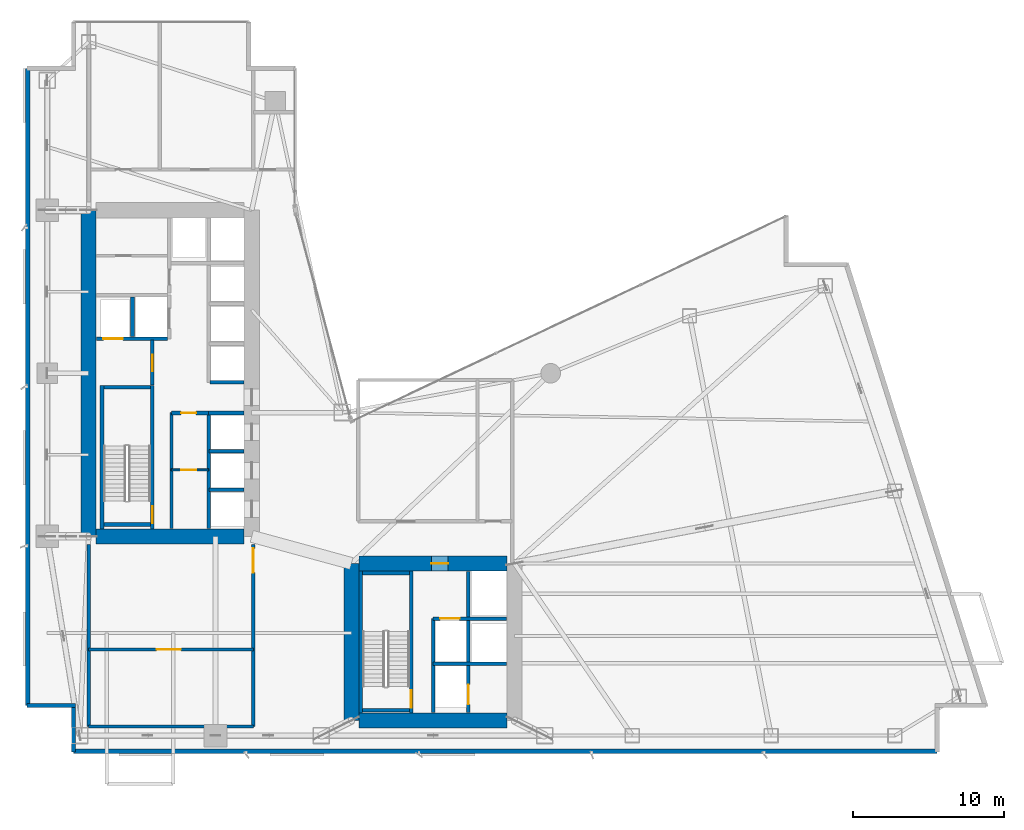
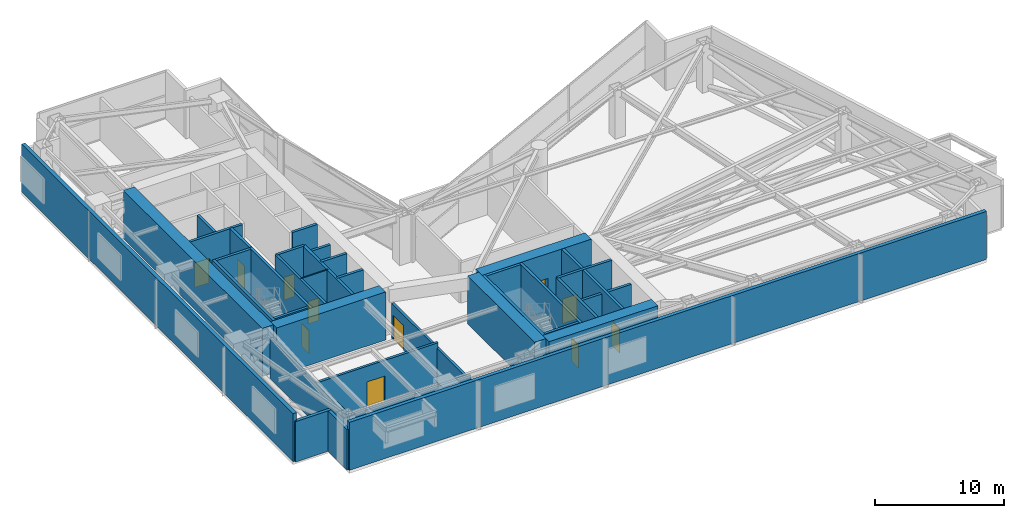
# One storey, part 13 of 18: 36 walls, 11 doors, 11 openings.
"""IFC4 building model written with IfcOpenShell, lengths in metres."""

from ifc_helpers import new_model, si_unit, direction, frame, frame_2d, origin, place, context, subcontext, project, spatial, rectangle, extrude, material, layer, layer_set, type_object, element, fill, save


model = new_model("IFC4")

# Units and contexts
model_context = context("Model", 3, precision=1e-05, world=origin(), true_north=direction((0.0, 1.0)))
body_context = subcontext(model_context, "Body", "Model", "MODEL_VIEW")
ifc_project = project(units=[si_unit("LENGTHUNIT", "METRE"), si_unit("AREAUNIT", "SQUARE_METRE"), si_unit("VOLUMEUNIT", "CUBIC_METRE"), si_unit("PLANEANGLEUNIT", "RADIAN"), si_unit("MASSUNIT", "GRAM", prefix="KILO")], contexts=[model_context])

# Site, building, storey
site_placement = place(None, origin())
site = spatial("IfcSite", under=ifc_project, at=site_placement, CompositionType="ELEMENT")
building_placement = place(site_placement, origin())
building = spatial("IfcBuilding", under=site, at=building_placement, Name="Calvorn Quay Hotel", CompositionType="ELEMENT")
storey_placement = place(building_placement, frame((0.0, 0.0, 46.0)))
storey = spatial("IfcBuildingStorey", under=building, at=storey_placement, Name="L10", CompositionType="ELEMENT", Elevation=46.0)

# Walls
ifc_material_1 = material(Name="Concrete C60", Category="concrete")
ifc_layer_1 = layer(ifc_material_1, 1.0)
ifc_layer_set_1 = layer_set([ifc_layer_1], Name="WL-CORE-1000")
wall_type_1 = type_object("IfcWallType", Name="WL-CORE-1000", PredefinedType="SHEAR", material=ifc_layer_set_1)
wall_1_placement = place(storey_placement, frame((4.199951171875, 16.800048828125, 0.0), z_axis=(0.0, 0.0, 1.0), x_axis=(0.0, 1.0, 0.0)))
element("IfcWall", 1, at=wall_1_placement, inside=storey, type_object=wall_type_1, Name="West Core Shear Wall W (L10)", PredefinedType="SHEAR", context=body_context, shape_type="SweptSolid", body=[
    extrude(rectangle(XDim=21.599853515625, YDim=1.0, at=frame_2d((10.7998046875, 0.0))), origin(), (0.0, 0.0, 1.0), 4.56005859375),
])
wall_2_placement = place(storey_placement, frame((4.699951171875, 16.800048828125, 0.0), z_axis=(0.0, 0.0, 1.0), x_axis=(1.0, 0.0, 0.0)))
element("IfcWall", 2, at=wall_2_placement, inside=storey, type_object=wall_type_1, Name="West Core Shear Wall S (L10)", PredefinedType="SHEAR", context=body_context, shape_type="SweptSolid", body=[
    extrude(rectangle(XDim=9.800048828125, YDim=1.0, at=frame_2d((4.89990234375, 0.0))), origin(), (0.0, 0.0, 1.0), 4.56005859375),
])
wall_3_placement = place(storey_placement, frame((21.60009765625, 4.60009765625, 0.0), z_axis=(0.0, 0.0, 1.0), x_axis=(0.0, 1.0, 0.0)))
element("IfcWall", 3, at=wall_3_placement, inside=storey, type_object=wall_type_1, Name="East Core Shear Wall W (L10)", PredefinedType="SHEAR", context=body_context, shape_type="SweptSolid", body=[
    extrude(rectangle(XDim=10.39990234375, YDim=1.0, at=frame_2d((5.199951171875, 0.0))), origin(), (0.0, 0.0, 1.0), 4.56005859375),
])

# Wall, opening, door
wall_4_placement = place(storey_placement, frame((22.10009765625, 15.0, 0.0), z_axis=(0.0, 0.0, 1.0), x_axis=(1.0, 0.0, 0.0)))
wall_4 = element("IfcWall", 4, at=wall_4_placement, inside=storey, type_object=wall_type_1, Name="East Core Shear Wall N (L10)", PredefinedType="SHEAR", context=body_context, shape_type="SweptSolid", body=[
    extrude(rectangle(XDim=9.7998046875, YDim=1.0, at=frame_2d((4.89990234375, 0.0))), origin(), (0.0, 0.0, 1.0), 4.56005859375),
])
opening_1_placement = place(wall_4_placement, frame((4.800048828125, 0.0, 0.0)))
opening_1 = element("IfcOpeningElement", 5, at=opening_1_placement, cuts=wall_4, Name="Opening D-L10-FLE", PredefinedType="OPENING", context=body_context, shape_type="SweptSolid", body=[
    extrude(rectangle(XDim=1.10009765625, YDim=2.199951171875, at=frame_2d((0.550048828125, 1.10009765625))), frame((0.0, 0.510009765625, 0.0), z_axis=(0.0, -1.0, 0.0), x_axis=(1.0, 0.0, 0.0)), (0.0, 0.0, 1.0), 1.02001953125),
])
ifc_material_2 = material(Name="Smoke-Sealed Steel Class A Fire Door", Category="steel")
door_type_1 = type_object("IfcDoorType", Name="DR-FFLOBBY-1100", OperationType="NOTDEFINED", PredefinedType="DOOR", material=ifc_material_2)
door_1_placement = place(opening_1_placement, origin())
door_1 = element("IfcDoor", 6, at=door_1_placement, inside=storey, type_object=door_type_1, Name="East Firefighting Lobby Fire Door (L10)", OperationType="SINGLE_SWING_RIGHT", OverallHeight=2.199951171875, OverallWidth=1.10009765625, PredefinedType="DOOR", context=body_context, shape_type="SweptSolid", body=[
    extrude(rectangle(XDim=1.10009765625, YDim=2.199951171875, at=frame_2d((0.550048828125, 1.10009765625))), frame((0.0, 0.02490234375, 0.0), z_axis=(0.0, -1.0, 0.0), x_axis=(1.0, 0.0, 0.0)), (0.0, 0.0, 1.0), 0.050048828125),
])
fill(opening_1, door_1)

# Wall
wall_5_placement = place(storey_placement, frame((22.10009765625, 4.60009765625, 0.0), z_axis=(0.0, 0.0, 1.0), x_axis=(1.0, 0.0, 0.0)))
element("IfcWall", 7, at=wall_5_placement, inside=storey, type_object=wall_type_1, Name="East Core Shear Wall S (L10)", PredefinedType="SHEAR", context=body_context, shape_type="SweptSolid", body=[
    extrude(rectangle(XDim=9.7998046875, YDim=1.0, at=frame_2d((4.89990234375, 0.0))), origin(), (0.0, 0.0, 1.0), 4.56005859375),
])

# Wall, opening, door
ifc_material_3 = material(Name="Moisture-Resistant Tile-Backed Partition")
ifc_layer_2 = layer(ifc_material_3, 0.125)
ifc_layer_set_2 = layer_set([ifc_layer_2], Name="WL-ENSUITE-125")
wall_type_2 = type_object("IfcWallType", Name="WL-ENSUITE-125", PredefinedType="PARTITIONING", material=ifc_layer_set_2)
wall_6_placement = place(storey_placement, frame((9.679931640625, 21.199951171875, 0.0), z_axis=(0.0, 0.0, 1.0), x_axis=(1.0, 0.0, 0.0)))
wall_6 = element("IfcWall", 8, at=wall_6_placement, inside=storey, type_object=wall_type_2, Name="Partition Wall L10-WL-CWW-SER-M", PredefinedType="PARTITIONING", context=body_context, shape_type="SweptSolid", body=[
    extrude(rectangle(XDim=2.469970703125, YDim=0.125, at=frame_2d((1.23486328125, 0.0))), origin(), (0.0, 0.0, 1.0), 4.56005859375),
])
opening_2_placement = place(wall_6_placement, frame((0.64990234375, 0.0, 0.0)))
opening_2 = element("IfcOpeningElement", 9, at=opening_2_placement, cuts=wall_6, Name="Opening D-L10-CSM", PredefinedType="OPENING", context=body_context, shape_type="SweptSolid", body=[
    extrude(rectangle(XDim=0.97998046875, YDim=2.14990234375, at=frame_2d((0.489990234375, 1.074951171875))), frame((0.0, 0.072509765625, 0.0), z_axis=(0.0, -1.0, 0.0), x_axis=(1.0, 0.0, 0.0)), (0.0, 0.0, 1.0), 0.14501953125),
])
ifc_material_4 = material(Name="Painted Steel Housekeeping/Riser Fire Door", Category="steel")
door_type_2 = type_object("IfcDoorType", Name="DR-SERVICE-980", OperationType="NOTDEFINED", PredefinedType="DOOR", material=ifc_material_4)
door_2_placement = place(opening_2_placement, origin())
door_2 = element("IfcDoor", 10, at=door_2_placement, inside=storey, type_object=door_type_2, Name="Core Valet Pantry Door (L10)", OperationType="SINGLE_SWING_LEFT", OverallHeight=2.14990234375, OverallWidth=0.97998046875, PredefinedType="DOOR", context=body_context, shape_type="SweptSolid", body=[
    extrude(rectangle(XDim=0.97998046875, YDim=2.14990234375, at=frame_2d((0.489990234375, 1.074951171875))), frame((0.0, 0.02490234375, 0.0), z_axis=(0.0, -1.0, 0.0), x_axis=(1.0, 0.0, 0.0)), (0.0, 0.0, 1.0), 0.050048828125),
])
fill(opening_2, door_2)

# Walls
ifc_material_5 = material(Name="Concrete C40", Category="concrete")
ifc_layer_3 = layer(ifc_material_5, 0.320068359375)
ifc_layer_set_3 = layer_set([ifc_layer_3], Name="WL-EXT-SPANDREL-320")
wall_type_3 = type_object("IfcWallType", Name="WL-EXT-SPANDREL-320", PredefinedType="SOLIDWALL", material=ifc_layer_set_3)
wall_7_placement = place(storey_placement, frame((0.159912109375, 5.60009765625, 0.0), z_axis=(0.0, 0.0, 1.0), x_axis=(0.0, 1.0, 0.0)))
element("IfcWall", 11, at=wall_7_placement, inside=storey, type_object=wall_type_3, Name="Refuge Mechanical Louvre Spandrel Wall West (L10)", PredefinedType="SOLIDWALL", context=body_context, shape_type="SweptSolid", body=[
    extrude(rectangle(XDim=42.199951171875, YDim=0.320068359375, at=frame_2d((21.10009765625, 0.0))), origin(), (0.0, 0.0, 1.0), 4.56005859375),
])
wall_8_placement = place(storey_placement, frame((3.199951171875, 2.56005859375, 0.0), z_axis=(0.0, 0.0, 1.0), x_axis=(1.0, 0.0, 0.0)))
element("IfcWall", 12, at=wall_8_placement, inside=storey, type_object=wall_type_3, Name="Refuge Mechanical Louvre Spandrel Wall South (L10)", PredefinedType="SOLIDWALL", context=body_context, shape_type="SweptSolid", body=[
    extrude(rectangle(XDim=57.199951171875, YDim=0.320068359375, at=frame_2d((28.60009765625, 0.0))), origin(), (0.0, 0.0, 1.0), 4.56005859375),
])
wall_9_placement = place(storey_placement, frame((0.1201171875, 5.60009765625, 0.0), z_axis=(0.0, 0.0, 1.0), x_axis=(1.0, 0.0, 0.0)))
element("IfcWall", 13, at=wall_9_placement, inside=storey, type_object=wall_type_3, Name="Notched Corner Spandrel L10-SW1", PredefinedType="SOLIDWALL", context=body_context, shape_type="SweptSolid", body=[
    extrude(rectangle(XDim=3.219970703125, YDim=0.280029296875, at=frame_2d((1.60986328125, 0.0))), origin(), (0.0, 0.0, 1.0), 3.840087890625),
])
wall_10_placement = place(storey_placement, frame((3.199951171875, 5.4599609375, 0.0), z_axis=(0.0, 0.0, 1.0), x_axis=(0.0, -1.0, 0.0)))
element("IfcWall", 14, at=wall_10_placement, inside=storey, type_object=wall_type_3, Name="Notched Corner Spandrel L10-SW2", PredefinedType="SOLIDWALL", context=body_context, shape_type="SweptSolid", body=[
    extrude(rectangle(XDim=2.93994140625, YDim=0.280029296875, at=frame_2d((1.469970703125, 0.0))), origin(), (0.0, 0.0, 1.0), 3.840087890625),
])
ifc_material_6 = material(Name="Autoclaved Aerated Masonry Block", Category="masonry")
ifc_layer_4 = layer(ifc_material_6, 0.219970703125)
ifc_layer_set_4 = layer_set([ifc_layer_4], Name="WL-LOBBY-FIRE-220")
wall_type_4 = type_object("IfcWallType", Name="WL-LOBBY-FIRE-220", PredefinedType="SOLIDWALL", material=ifc_layer_set_4)
wall_11_placement = place(storey_placement, frame((9.679931640625, 17.320068359375, 0.0), z_axis=(0.0, 0.0, 1.0), x_axis=(0.0, 1.0, 0.0)))
element("IfcWall", 15, at=wall_11_placement, inside=storey, type_object=wall_type_4, Name="Partition Wall L10-WL-CWW-STW-HALL-E", PredefinedType="SOLIDWALL", context=body_context, shape_type="SweptSolid", body=[
    extrude(rectangle(XDim=7.679931640625, YDim=0.219970703125, at=frame_2d((3.83984375, 0.0))), origin(), (0.0, 0.0, 1.0), 4.56005859375),
])
wall_12_placement = place(storey_placement, frame((4.199951171875, 4.199951171875, 0.0), z_axis=(0.0, 0.0, 1.0), x_axis=(0.0, 1.0, 0.0)))
element("IfcWall", 16, at=wall_12_placement, inside=storey, type_object=wall_type_4, Name="Partition Wall L10-WL-RF-BELT-W", PredefinedType="SOLIDWALL", context=body_context, shape_type="SweptSolid", body=[
    extrude(rectangle(XDim=12.050048828125, YDim=0.219970703125, at=frame_2d((6.02490234375, 0.0))), origin(), (0.0, 0.0, 1.0), 3.840087890625),
])
wall_13_placement = place(storey_placement, frame((4.199951171875, 4.199951171875, 0.0), z_axis=(0.0, 0.0, 1.0), x_axis=(1.0, 0.0, 0.0)))
element("IfcWall", 17, at=wall_13_placement, inside=storey, type_object=wall_type_4, Name="Partition Wall L10-WL-RF-BELT-S", PredefinedType="SOLIDWALL", context=body_context, shape_type="SweptSolid", body=[
    extrude(rectangle(XDim=10.900146484375, YDim=0.219970703125, at=frame_2d((5.4501953125, 0.0))), origin(), (0.0, 0.0, 1.0), 3.840087890625),
])

# Wall, opening, door
wall_14_placement = place(storey_placement, frame((4.199951171875, 9.300048828125, 0.0), z_axis=(0.0, 0.0, 1.0), x_axis=(1.0, 0.0, 0.0)))
wall_14 = element("IfcWall", 18, at=wall_14_placement, inside=storey, type_object=wall_type_4, Name="Partition Wall L10-WL-RF-PLT-M", PredefinedType="SOLIDWALL", context=body_context, shape_type="SweptSolid", body=[
    extrude(rectangle(XDim=10.900146484375, YDim=0.219970703125, at=frame_2d((5.4501953125, 0.0))), origin(), (0.0, 0.0, 1.0), 3.840087890625),
])
opening_3_placement = place(wall_14_placement, frame((4.5, 0.0, 0.0)))
opening_3 = element("IfcOpeningElement", 19, at=opening_3_placement, cuts=wall_14, Name="Opening D-L10-P2", PredefinedType="OPENING", context=body_context, shape_type="SweptSolid", body=[
    extrude(rectangle(XDim=1.60009765625, YDim=2.35009765625, at=frame_2d((0.800048828125, 1.175048828125))), frame((0.0, 0.119873046875, 0.0), z_axis=(0.0, -1.0, 0.0), x_axis=(1.0, 0.0, 0.0)), (0.0, 0.0, 1.0), 0.239990234375),
])
ifc_material_7 = material(Name="Heavy-Duty Steel Acoustic Plant Fire Door", Category="steel")
door_type_3 = type_object("IfcDoorType", Name="DR-PLANT-DBL-1600", OperationType="NOTDEFINED", PredefinedType="DOOR", material=ifc_material_7)
door_3_placement = place(opening_3_placement, origin())
door_3 = element("IfcDoor", 20, at=door_3_placement, inside=storey, type_object=door_type_3, Name="Fire Pump Room Door", OperationType="SINGLE_SWING_RIGHT", OverallHeight=2.35009765625, OverallWidth=1.60009765625, PredefinedType="DOOR", context=body_context, shape_type="SweptSolid", body=[
    extrude(rectangle(XDim=1.60009765625, YDim=2.35009765625, at=frame_2d((0.800048828125, 1.175048828125))), frame((0.0, 0.02490234375, 0.0), z_axis=(0.0, -1.0, 0.0), x_axis=(1.0, 0.0, 0.0)), (0.0, 0.0, 1.0), 0.050048828125),
])
fill(opening_3, door_3)

wall_15_placement = place(storey_placement, frame((15.10009765625, 4.199951171875, 0.0), z_axis=(0.0, 0.0, 1.0), x_axis=(0.0, 1.0, 0.0)))
wall_15 = element("IfcWall", 21, at=wall_15_placement, inside=storey, type_object=wall_type_4, Name="Partition Wall L10-WL-RF-PLT-E", PredefinedType="SOLIDWALL", context=body_context, shape_type="SweptSolid", body=[
    extrude(rectangle(XDim=12.050048828125, YDim=0.219970703125, at=frame_2d((6.02490234375, 0.0))), origin(), (0.0, 0.0, 1.0), 3.340087890625),
])
opening_4_placement = place(wall_15_placement, frame((10.199951171875, 0.0, 0.0)))
opening_4 = element("IfcOpeningElement", 22, at=opening_4_placement, cuts=wall_15, Name="Opening D-L10-P1", PredefinedType="OPENING", context=body_context, shape_type="SweptSolid", body=[
    extrude(rectangle(XDim=1.60009765625, YDim=2.35009765625, at=frame_2d((0.800048828125, 1.175048828125))), frame((0.0, 0.119873046875, 0.0), z_axis=(0.0, -1.0, 0.0), x_axis=(1.0, 0.0, 0.0)), (0.0, 0.0, 1.0), 0.239990234375),
])
door_4_placement = place(opening_4_placement, origin())
door_4 = element("IfcDoor", 23, at=door_4_placement, inside=storey, type_object=door_type_3, Name="HVAC Plant Fire Door", OperationType="SINGLE_SWING_LEFT", OverallHeight=2.35009765625, OverallWidth=1.60009765625, PredefinedType="DOOR", context=body_context, shape_type="SweptSolid", body=[
    extrude(rectangle(XDim=1.60009765625, YDim=2.35009765625, at=frame_2d((0.800048828125, 1.175048828125))), frame((0.0, 0.02490234375, 0.0), z_axis=(0.0, -1.0, 0.0), x_axis=(1.0, 0.0, 0.0)), (0.0, 0.0, 1.0), 0.050048828125),
])
fill(opening_4, door_4)

# Wall
ifc_material_8 = material(Name="Concrete C40", Category="concrete")
ifc_layer_5 = layer(ifc_material_8, 0.239990234375)
ifc_layer_set_5 = layer_set([ifc_layer_5], Name="WL-SHAFT-240")
wall_type_5 = type_object("IfcWallType", Name="WL-SHAFT-240", PredefinedType="SOLIDWALL", material=ifc_layer_set_5)
wall_16_placement = place(storey_placement, frame((5.080078125, 17.300048828125, 0.0), z_axis=(0.0, 0.0, 1.0), x_axis=(0.0, 1.0, 0.0)))
element("IfcWall", 24, at=wall_16_placement, inside=storey, type_object=wall_type_5, Name="Stair STW Shaft Wall W (L10)", PredefinedType="SOLIDWALL", context=body_context, shape_type="SweptSolid", body=[
    extrude(rectangle(XDim=9.489990234375, YDim=0.239990234375, at=frame_2d((4.7451171875, 0.0))), origin(), (0.0, 0.0, 1.0), 4.56005859375),
])

# Wall, opening, door
wall_17_placement = place(storey_placement, frame((8.419921875, 17.300048828125, 0.0), z_axis=(0.0, 0.0, 1.0), x_axis=(0.0, 1.0, 0.0)))
wall_17 = element("IfcWall", 25, at=wall_17_placement, inside=storey, type_object=wall_type_5, Name="Stair STW Shaft Wall E (L10)", PredefinedType="SOLIDWALL", context=body_context, shape_type="SweptSolid", body=[
    extrude(rectangle(XDim=9.489990234375, YDim=0.239990234375, at=frame_2d((4.7451171875, 0.0))), origin(), (0.0, 0.0, 1.0), 4.56005859375),
])
opening_5_placement = place(wall_17_placement, frame((0.35009765625, 0.0, 0.0)))
opening_5 = element("IfcOpeningElement", 26, at=opening_5_placement, cuts=wall_17, Name="Opening D-L10-STW", PredefinedType="OPENING", context=body_context, shape_type="SweptSolid", body=[
    extrude(rectangle(XDim=1.14990234375, YDim=2.199951171875, at=frame_2d((0.574951171875, 1.10009765625))), frame((0.0, 0.1298828125, 0.0), z_axis=(0.0, -1.0, 0.0), x_axis=(1.0, 0.0, 0.0)), (0.0, 0.0, 1.0), 0.260009765625),
])
ifc_material_9 = material(Name="Galvanised Steel Class A Fire Door", Category="steel")
door_type_4 = type_object("IfcDoorType", Name="DR-STAIR-SMOKE-1150", OperationType="NOTDEFINED", PredefinedType="DOOR", material=ifc_material_9)
door_5_placement = place(opening_5_placement, origin())
door_5 = element("IfcDoor", 27, at=door_5_placement, inside=storey, type_object=door_type_4, Name="Stair ST-W Fire Door (L10)", OperationType="SINGLE_SWING_LEFT", OverallHeight=2.199951171875, OverallWidth=1.14990234375, PredefinedType="DOOR", context=body_context, shape_type="SweptSolid", body=[
    extrude(rectangle(XDim=1.14990234375, YDim=2.199951171875, at=frame_2d((0.574951171875, 1.10009765625))), frame((0.0, 0.02490234375, 0.0), z_axis=(0.0, -1.0, 0.0), x_axis=(1.0, 0.0, 0.0)), (0.0, 0.0, 1.0), 0.050048828125),
])
fill(opening_5, door_5)

# Walls
for number, where, z_axis, x_axis, name in (
    (28, (5.199951171875, 17.580078125, 0.0), (0.0, 0.0, 1.0), (1.0, 0.0, 0.0), "Stair STW Shaft Wall S (L10)"),
    (29, (5.199951171875, 26.669921875, 0.0), (0.0, 0.0, 1.0), (1.0, 0.0, 0.0), "Stair STW Shaft Wall N (L10)"),
):
    element("IfcWall", number, at=place(storey_placement, frame(where, z_axis=z_axis, x_axis=x_axis)), inside=storey, type_object=wall_type_5, Name=name, PredefinedType="SOLIDWALL", context=body_context, shape_type="SweptSolid", body=[
        extrude(rectangle(XDim=3.10009765625, YDim=0.239990234375, at=frame_2d((1.550048828125, 0.0))), origin(), (0.0, 0.0, 1.0), 4.56005859375),
    ])
wall_18_placement = place(storey_placement, frame((22.22998046875, 5.10009765625, 0.0), z_axis=(0.0, 0.0, 1.0), x_axis=(0.0, 1.0, 0.0)))
element("IfcWall", 30, at=wall_18_placement, inside=storey, type_object=wall_type_5, Name="Stair STE Shaft Wall W (L10)", PredefinedType="SOLIDWALL", context=body_context, shape_type="SweptSolid", body=[
    extrude(rectangle(XDim=9.389892578125, YDim=0.239990234375, at=frame_2d((4.69482421875, 0.0))), origin(), (0.0, 0.0, 1.0), 4.56005859375),
])

# Wall, opening, door
wall_19_placement = place(storey_placement, frame((25.570068359375, 5.10009765625, 0.0), z_axis=(0.0, 0.0, 1.0), x_axis=(0.0, 1.0, 0.0)))
wall_19 = element("IfcWall", 31, at=wall_19_placement, inside=storey, type_object=wall_type_5, Name="Stair STE Shaft Wall E (L10)", PredefinedType="SOLIDWALL", context=body_context, shape_type="SweptSolid", body=[
    extrude(rectangle(XDim=9.389892578125, YDim=0.239990234375, at=frame_2d((4.69482421875, 0.0))), origin(), (0.0, 0.0, 1.0), 4.56005859375),
])
opening_6_placement = place(wall_19_placement, frame((0.35009765625, 0.0, 0.0)))
opening_6 = element("IfcOpeningElement", 32, at=opening_6_placement, cuts=wall_19, Name="Opening D-L10-STE", PredefinedType="OPENING", context=body_context, shape_type="SweptSolid", body=[
    extrude(rectangle(XDim=1.14990234375, YDim=2.199951171875, at=frame_2d((0.574951171875, 1.10009765625))), frame((0.0, 0.1298828125, 0.0), z_axis=(0.0, -1.0, 0.0), x_axis=(1.0, 0.0, 0.0)), (0.0, 0.0, 1.0), 0.260009765625),
])
door_6_placement = place(opening_6_placement, origin())
door_6 = element("IfcDoor", 33, at=door_6_placement, inside=storey, type_object=door_type_4, Name="Stair ST-E Fire Door (L10)", OperationType="SINGLE_SWING_RIGHT", OverallHeight=2.199951171875, OverallWidth=1.14990234375, PredefinedType="DOOR", context=body_context, shape_type="SweptSolid", body=[
    extrude(rectangle(XDim=1.14990234375, YDim=2.199951171875, at=frame_2d((0.574951171875, 1.10009765625))), frame((0.0, 0.02490234375, 0.0), z_axis=(0.0, -1.0, 0.0), x_axis=(1.0, 0.0, 0.0)), (0.0, 0.0, 1.0), 0.050048828125),
])
fill(opening_6, door_6)

# Walls
for number, where, z_axis, x_axis, name in (
    (34, (22.35009765625, 5.280029296875, 0.0), (0.0, 0.0, 1.0), (1.0, 0.0, 0.0), "Stair STE Shaft Wall S (L10)"),
    (35, (22.35009765625, 14.3701171875, 0.0), (0.0, 0.0, 1.0), (1.0, 0.0, 0.0), "Stair STE Shaft Wall N (L10)"),
):
    element("IfcWall", number, at=place(storey_placement, frame(where, z_axis=z_axis, x_axis=x_axis)), inside=storey, type_object=wall_type_5, Name=name, PredefinedType="SOLIDWALL", context=body_context, shape_type="SweptSolid", body=[
        extrude(rectangle(XDim=3.099853515625, YDim=0.239990234375, at=frame_2d((1.5498046875, 0.0))), origin(), (0.0, 0.0, 1.0), 4.56005859375),
    ])
for number, where, z_axis, x_axis, name in (
    (36, (12.179931640625, 19.875, 0.0), (0.0, 0.0, 1.0), (1.0, 0.0, 0.0), "Lift Hoistway Divider Wall PLL12 (L10)"),
    (37, (12.179931640625, 22.425048828125, 0.0), (0.0, 0.0, 1.0), (1.0, 0.0, 0.0), "Lift Hoistway Divider Wall PLL23 (L10)"),
):
    element("IfcWall", number, at=place(storey_placement, frame(where, z_axis=z_axis, x_axis=x_axis)), inside=storey, type_object=wall_type_5, Name=name, PredefinedType="SOLIDWALL", context=body_context, shape_type="SweptSolid", body=[
        extrude(rectangle(XDim=2.320068359375, YDim=0.239990234375, at=frame_2d((1.16015625, 0.0))), origin(), (0.0, 0.0, 1.0), 4.56005859375),
    ])

# Wall, opening, door
wall_20_placement = place(storey_placement, frame((8.419921875, 26.820068359375, 0.0), z_axis=(0.0, 0.0, 1.0), x_axis=(0.0, 1.0, 0.0)))
wall_20 = element("IfcWall", 38, at=wall_20_placement, inside=storey, type_object=wall_type_5, Name="Partition Wall L10-WL-CWW-FFL-E", PredefinedType="SOLIDWALL", context=body_context, shape_type="SweptSolid", body=[
    extrude(rectangle(XDim=3.0, YDim=0.239990234375, at=frame_2d((1.5, 0.0))), origin(), (0.0, 0.0, 1.0), 4.56005859375),
])
opening_7_placement = place(wall_20_placement, frame((0.89990234375, 0.0, 0.0)))
opening_7 = element("IfcOpeningElement", 39, at=opening_7_placement, cuts=wall_20, Name="Opening D-L10-FLW", PredefinedType="OPENING", context=body_context, shape_type="SweptSolid", body=[
    extrude(rectangle(XDim=1.10009765625, YDim=2.199951171875, at=frame_2d((0.550048828125, 1.10009765625))), frame((0.0, 0.1298828125, 0.0), z_axis=(0.0, -1.0, 0.0), x_axis=(1.0, 0.0, 0.0)), (0.0, 0.0, 1.0), 0.260009765625),
])
door_7_placement = place(opening_7_placement, origin())
door_7 = element("IfcDoor", 40, at=door_7_placement, inside=storey, type_object=door_type_1, Name="West Firefighting Lobby Fire Door (L10)", OperationType="SINGLE_SWING_RIGHT", OverallHeight=2.199951171875, OverallWidth=1.10009765625, PredefinedType="DOOR", context=body_context, shape_type="SweptSolid", body=[
    extrude(rectangle(XDim=1.10009765625, YDim=2.199951171875, at=frame_2d((0.550048828125, 1.10009765625))), frame((0.0, 0.02490234375, 0.0), z_axis=(0.0, -1.0, 0.0), x_axis=(1.0, 0.0, 0.0)), (0.0, 0.0, 1.0), 0.050048828125),
])
fill(opening_7, door_7)

wall_21_placement = place(storey_placement, frame((4.719970703125, 29.8798828125, 0.0), z_axis=(0.0, 0.0, 1.0), x_axis=(1.0, 0.0, 0.0)))
wall_21 = element("IfcWall", 41, at=wall_21_placement, inside=storey, type_object=wall_type_5, Name="Partition Wall L10-WL-CWW-FLW-S", PredefinedType="SOLIDWALL", context=body_context, shape_type="SweptSolid", body=[
    extrude(rectangle(XDim=4.699951171875, YDim=0.239990234375, at=frame_2d((2.35009765625, 0.0))), origin(), (0.0, 0.0, 1.0), 4.56005859375),
])
opening_8_placement = place(wall_21_placement, frame((0.449951171875, 0.0, 0.0)))
opening_8 = element("IfcOpeningElement", 42, at=opening_8_placement, cuts=wall_21, Name="Opening LD-L10-FLW1", PredefinedType="OPENING", context=body_context, shape_type="SweptSolid", body=[
    extrude(rectangle(XDim=1.300048828125, YDim=2.35009765625, at=frame_2d((0.64990234375, 1.175048828125))), frame((0.0, 0.1298828125, 0.0), z_axis=(0.0, -1.0, 0.0), x_axis=(1.0, 0.0, 0.0)), (0.0, 0.0, 1.0), 0.260009765625),
])
ifc_material_10 = material(Name="Champagne-Bronze Sliding Express Lift Landing Door")
door_type_5 = type_object("IfcDoorType", Name="DR-LIFT-SHUTTLE-1300", OperationType="NOTDEFINED", PredefinedType="DOOR", material=ifc_material_10)
door_8_placement = place(opening_8_placement, origin())
door_8 = element("IfcDoor", 43, at=door_8_placement, inside=storey, type_object=door_type_5, Name="Firefighting Lift FL-W1 Landing Door (L10)", OperationType="DOUBLE_DOOR_SLIDING", OverallHeight=2.35009765625, OverallWidth=1.300048828125, PredefinedType="DOOR", context=body_context, shape_type="SweptSolid", body=[
    extrude(rectangle(XDim=1.300048828125, YDim=2.35009765625, at=frame_2d((0.64990234375, 1.175048828125))), frame((0.0, 0.02490234375, 0.0), z_axis=(0.0, -1.0, 0.0), x_axis=(1.0, 0.0, 0.0)), (0.0, 0.0, 1.0), 0.050048828125),
])
fill(opening_8, door_8)

# Walls
wall_22_placement = place(storey_placement, frame((7.10009765625, 30.02001953125, 0.0), z_axis=(0.0, 0.0, 1.0), x_axis=(0.0, 1.0, 0.0)))
element("IfcWall", 44, at=wall_22_placement, inside=storey, type_object=wall_type_5, Name="Partition Wall L10-WL-CWW-FLW-DIV", PredefinedType="SOLIDWALL", context=body_context, shape_type="SweptSolid", body=[
    extrude(rectangle(XDim=2.6298828125, YDim=0.239990234375, at=frame_2d((1.31494140625, 0.0))), origin(), (0.0, 0.0, 1.0), 4.56005859375),
])
wall_23_placement = place(storey_placement, frame((12.14990234375, 17.320068359375, 0.0), z_axis=(0.0, 0.0, 1.0), x_axis=(0.0, 1.0, 0.0)))
element("IfcWall", 45, at=wall_23_placement, inside=storey, type_object=wall_type_5, Name="Partition Wall L10-WL-CWW-PLL-W", PredefinedType="SOLIDWALL", context=body_context, shape_type="SweptSolid", body=[
    extrude(rectangle(XDim=7.64990234375, YDim=0.239990234375, at=frame_2d((3.824951171875, 0.0))), origin(), (0.0, 0.0, 1.0), 4.56005859375),
])

# Wall, opening, door
wall_24_placement = place(storey_placement, frame((9.679931640625, 24.969970703125, 0.0), z_axis=(0.0, 0.0, 1.0), x_axis=(1.0, 0.0, 0.0)))
wall_24 = element("IfcWall", 46, at=wall_24_placement, inside=storey, type_object=wall_type_5, Name="Partition Wall L10-WL-CWW-SER-N", PredefinedType="SOLIDWALL", context=body_context, shape_type="SweptSolid", body=[
    extrude(rectangle(XDim=2.469970703125, YDim=0.239990234375, at=frame_2d((1.23486328125, 0.0))), origin(), (0.0, 0.0, 1.0), 4.56005859375),
])
opening_9_placement = place(wall_24_placement, frame((0.64990234375, 0.0, 0.0)))
opening_9 = element("IfcOpeningElement", 47, at=opening_9_placement, cuts=wall_24, Name="Opening D-L10-CSR", PredefinedType="OPENING", context=body_context, shape_type="SweptSolid", body=[
    extrude(rectangle(XDim=0.97998046875, YDim=2.14990234375, at=frame_2d((0.489990234375, 1.074951171875))), frame((0.0, 0.1298828125, 0.0), z_axis=(0.0, -1.0, 0.0), x_axis=(1.0, 0.0, 0.0)), (0.0, 0.0, 1.0), 0.260009765625),
])
door_9_placement = place(opening_9_placement, origin())
door_9 = element("IfcDoor", 48, at=door_9_placement, inside=storey, type_object=door_type_2, Name="Core Service Closet Door (L10)", OperationType="SINGLE_SWING_LEFT", OverallHeight=2.14990234375, OverallWidth=0.97998046875, PredefinedType="DOOR", context=body_context, shape_type="SweptSolid", body=[
    extrude(rectangle(XDim=0.97998046875, YDim=2.14990234375, at=frame_2d((0.489990234375, 1.074951171875))), frame((0.0, 0.02490234375, 0.0), z_axis=(0.0, -1.0, 0.0), x_axis=(1.0, 0.0, 0.0)), (0.0, 0.0, 1.0), 0.050048828125),
])
fill(opening_9, door_9)

# Walls
wall_25_placement = place(storey_placement, frame((12.14990234375, 24.969970703125, 0.0), z_axis=(0.0, 0.0, 1.0), x_axis=(1.0, 0.0, 0.0)))
element("IfcWall", 49, at=wall_25_placement, inside=storey, type_object=wall_type_5, Name="Partition Wall L10-WL-CWW-PLL-SHN", PredefinedType="SOLIDWALL", context=body_context, shape_type="SweptSolid", body=[
    extrude(rectangle(XDim=2.330078125, YDim=0.239990234375, at=frame_2d((1.1650390625, 0.0))), origin(), (0.0, 0.0, 1.0), 3.840087890625),
])
wall_26_placement = place(storey_placement, frame((12.25, 27.0, 0.0), z_axis=(0.0, 0.0, 1.0), x_axis=(1.0, 0.0, 0.0)))
element("IfcWall", 50, at=wall_26_placement, inside=storey, type_object=wall_type_5, Name="Partition Wall L10-WL-CWW-PLM-S", PredefinedType="SOLIDWALL", context=body_context, shape_type="SweptSolid", body=[
    extrude(rectangle(XDim=2.22998046875, YDim=0.239990234375, at=frame_2d((1.114990234375, 0.0))), origin(), (0.0, 0.0, 1.0), 4.56005859375),
])
wall_27_placement = place(storey_placement, frame((27.02001953125, 5.1201171875, 0.0), z_axis=(0.0, 0.0, 1.0), x_axis=(0.0, 1.0, 0.0)))
element("IfcWall", 51, at=wall_27_placement, inside=storey, type_object=wall_type_5, Name="Partition Wall L10-WL-CWE-SH-W", PredefinedType="SOLIDWALL", context=body_context, shape_type="SweptSolid", body=[
    extrude(rectangle(XDim=6.22998046875, YDim=0.239990234375, at=frame_2d((3.114990234375, 0.0))), origin(), (0.0, 0.0, 1.0), 4.56005859375),
])

# Wall, opening, door
wall_28_placement = place(storey_placement, frame((27.02001953125, 11.35009765625, 0.0), z_axis=(0.0, 0.0, 1.0), x_axis=(1.0, 0.0, 0.0)))
wall_28 = element("IfcWall", 52, at=wall_28_placement, inside=storey, type_object=wall_type_5, Name="Partition Wall L10-WL-CWE-FFL-S", PredefinedType="SOLIDWALL", context=body_context, shape_type="SweptSolid", body=[
    extrude(rectangle(XDim=4.85986328125, YDim=0.239990234375, at=frame_2d((2.429931640625, 0.0))), origin(), (0.0, 0.0, 1.0), 4.56005859375),
])
opening_10_placement = place(wall_28_placement, frame((0.449951171875, 0.0, 0.0)))
opening_10 = element("IfcOpeningElement", 53, at=opening_10_placement, cuts=wall_28, Name="Opening LD-L10-FLE1", PredefinedType="OPENING", context=body_context, shape_type="SweptSolid", body=[
    extrude(rectangle(XDim=1.300048828125, YDim=2.35009765625, at=frame_2d((0.64990234375, 1.175048828125))), frame((0.0, 0.1298828125, 0.0), z_axis=(0.0, -1.0, 0.0), x_axis=(1.0, 0.0, 0.0)), (0.0, 0.0, 1.0), 0.260009765625),
])
door_10_placement = place(opening_10_placement, origin())
door_10 = element("IfcDoor", 54, at=door_10_placement, inside=storey, type_object=door_type_5, Name="Firefighting Lift FL-E1 Landing Door (L10)", OperationType="DOUBLE_DOOR_SLIDING", OverallHeight=2.35009765625, OverallWidth=1.300048828125, PredefinedType="DOOR", context=body_context, shape_type="SweptSolid", body=[
    extrude(rectangle(XDim=1.300048828125, YDim=2.35009765625, at=frame_2d((0.64990234375, 1.175048828125))), frame((0.0, 0.02490234375, 0.0), z_axis=(0.0, -1.0, 0.0), x_axis=(1.0, 0.0, 0.0)), (0.0, 0.0, 1.0), 0.050048828125),
])
fill(opening_10, door_10)

# Wall
wall_29_placement = place(storey_placement, frame((27.02001953125, 8.35009765625, 0.0), z_axis=(0.0, 0.0, 1.0), x_axis=(1.0, 0.0, 0.0)))
element("IfcWall", 55, at=wall_29_placement, inside=storey, type_object=wall_type_5, Name="Partition Wall L10-WL-CWE-SL-N", PredefinedType="SOLIDWALL", context=body_context, shape_type="SweptSolid", body=[
    extrude(rectangle(XDim=4.85986328125, YDim=0.239990234375, at=frame_2d((2.429931640625, 0.0))), origin(), (0.0, 0.0, 1.0), 4.090087890625),
])

# Wall, opening, door
wall_30_placement = place(storey_placement, frame((29.35009765625, 5.1201171875, 0.0), z_axis=(0.0, 0.0, 1.0), x_axis=(0.0, 1.0, 0.0)))
wall_30 = element("IfcWall", 56, at=wall_30_placement, inside=storey, type_object=wall_type_5, Name="Partition Wall L10-WL-CWE-OB-W", PredefinedType="SOLIDWALL", context=body_context, shape_type="SweptSolid", body=[
    extrude(rectangle(XDim=9.35986328125, YDim=0.239990234375, at=frame_2d((4.679931640625, 0.0))), origin(), (0.0, 0.0, 1.0), 4.56005859375),
])
opening_11_placement = place(wall_30_placement, frame((0.550048828125, 0.0, 0.0)))
opening_11 = element("IfcOpeningElement", 57, at=opening_11_placement, cuts=wall_30, Name="Opening LD-L10-SLEI", PredefinedType="OPENING", context=body_context, shape_type="SweptSolid", body=[
    extrude(rectangle(XDim=1.300048828125, YDim=2.35009765625, at=frame_2d((0.64990234375, 1.175048828125))), frame((0.0, 0.1298828125, 0.0), z_axis=(0.0, -1.0, 0.0), x_axis=(1.0, 0.0, 0.0)), (0.0, 0.0, 1.0), 0.260009765625),
])
door_11_placement = place(opening_11_placement, origin())
door_11 = element("IfcDoor", 58, at=door_11_placement, inside=storey, type_object=door_type_5, Name="Service Lift SL-E1 Landing Door (L10)", OperationType="DOUBLE_DOOR_SLIDING", OverallHeight=2.35009765625, OverallWidth=1.300048828125, PredefinedType="DOOR", context=body_context, shape_type="SweptSolid", body=[
    extrude(rectangle(XDim=1.300048828125, YDim=2.35009765625, at=frame_2d((0.64990234375, 1.175048828125))), frame((0.0, 0.02490234375, 0.0), z_axis=(0.0, -1.0, 0.0), x_axis=(1.0, 0.0, 0.0)), (0.0, 0.0, 1.0), 0.050048828125),
])
fill(opening_11, door_11)

save(model, "model.ifc")
